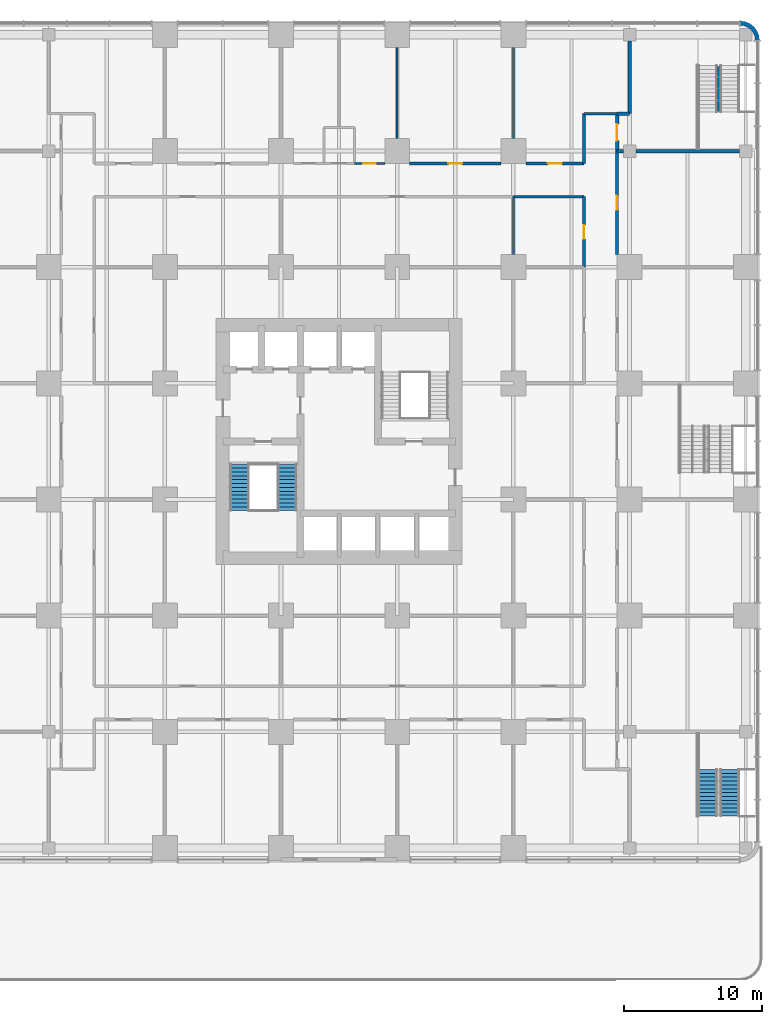
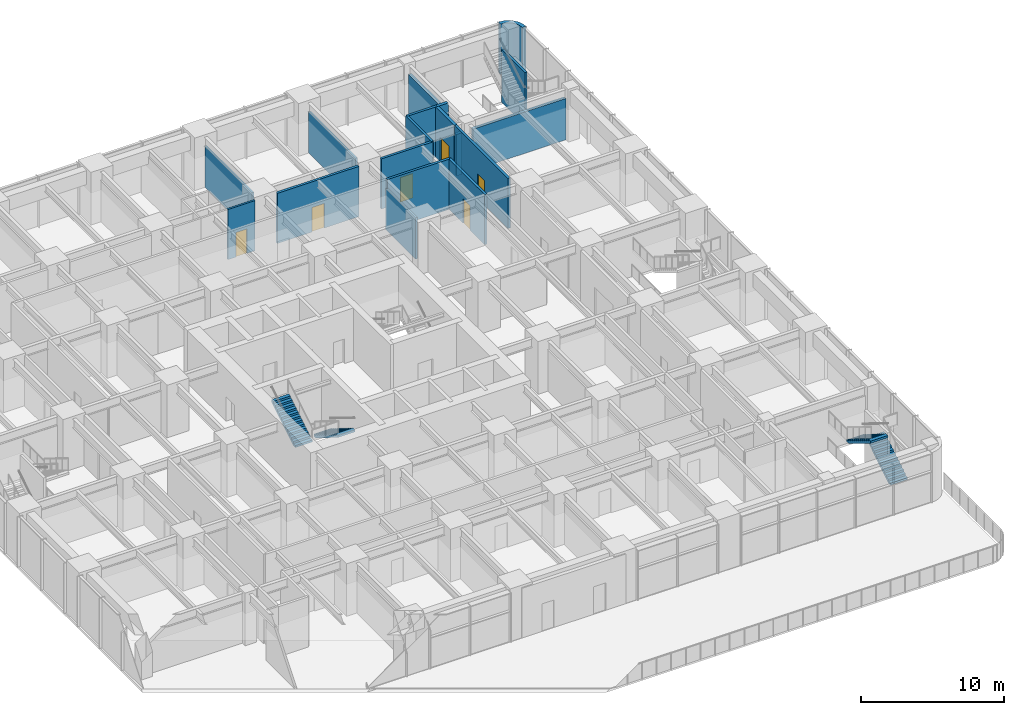
# One storey, part 13 of 19: 18 walls, 6 doors, 4 stair flights, 6 openings, 2 elements without a shape of their own.
"""IFC4 building model written with IfcOpenShell, lengths in metres."""

from ifc_helpers import new_model, si_unit, direction, frame, frame_2d, origin, place, context, subcontext, project, spatial, polyline, rectangle, outline, extrude, material, layer, layer_set, type_object, element, fill, aggregate, save


model = new_model("IFC4")

# Units and contexts
model_context = context("Model", 3, precision=1e-05, world=origin(), true_north=direction((0.0, 1.0)))
body_context = subcontext(model_context, "Body", "Model", "MODEL_VIEW")
ifc_project = project(units=[si_unit("LENGTHUNIT", "METRE"), si_unit("AREAUNIT", "SQUARE_METRE"), si_unit("VOLUMEUNIT", "CUBIC_METRE"), si_unit("PLANEANGLEUNIT", "RADIAN"), si_unit("MASSUNIT", "GRAM", prefix="KILO")], contexts=[model_context])

# Site, building, storey
site_placement = place(None, origin())
site = spatial("IfcSite", under=ifc_project, at=site_placement, CompositionType="ELEMENT")
building_placement = place(site_placement, origin())
building = spatial("IfcBuilding", under=site, at=building_placement, Name="Torre Alcanfor", CompositionType="ELEMENT")
storey_placement = place(building_placement, frame((0.0, 0.0, 15.0)))
storey = spatial("IfcBuildingStorey", under=building, at=storey_placement, Name="L03", CompositionType="ELEMENT", Elevation=15.0)

# Walls
ifc_material_1 = material(Name="Concrete block masonry, hollow blocks NMX-C-404 9 MPa", Category="masonry")
ifc_layer_1 = layer(ifc_material_1, 0.14990234375)
ifc_layer_set_1 = layer_set([ifc_layer_1], Name="Classroom partition 150")
wall_type_1 = type_object("IfcWallType", Name="Classroom partition 150", PredefinedType="PARTITIONING", material=ifc_layer_set_1)
wall_1_placement = place(storey_placement, frame((42.0, 57.89990234375, 0.0), z_axis=(0.0, 0.0, 1.0), x_axis=(0.0, -1.0, 0.0)))
element("IfcWall", 1, at=wall_1_placement, inside=storey, type_object=wall_type_1, Name="Partition L03-17 / L03-21", PredefinedType="PARTITIONING", context=body_context, shape_type="SweptSolid", body=[
    extrude(rectangle(XDim=6.599853515625, YDim=0.14990234375, at=frame_2d((3.2998046875, 0.0))), origin(), (0.0, 0.0, 1.0), 3.543212890625),
])
wall_2_placement = place(storey_placement, frame((42.0, 47.10009765625, 0.0), z_axis=(0.0, 0.0, 1.0), x_axis=(0.0, -1.0, 0.0)))
element("IfcWall", 2, at=wall_2_placement, inside=storey, type_object=wall_type_1, Name="Partition L03-I09 / L03-I10", PredefinedType="PARTITIONING", context=body_context, shape_type="SweptSolid", body=[
    extrude(rectangle(XDim=4.2001953125, YDim=0.14990234375, at=frame_2d((2.10009765625, 0.0))), origin(), (0.0, 0.0, 1.0), 3.543212890625),
])
ifc_material_2 = material(Name="Limestone cladding", Category="masonry")
ifc_layer_2 = layer(ifc_material_2, 0.0400390625, Name="Facing")
ifc_material_3 = material(Name="Ventilated air cavity")
ifc_layer_3 = layer(ifc_material_3, 0.02001953125, ventilated=True, Name="Ventilated joint")
ifc_material_4 = material(Name="Mineral wool insulation", Category="insulation")
ifc_layer_4 = layer(ifc_material_4, 0.10009765625, Name="Insulation")
ifc_material_5 = material(Name="Concrete f'c 35 MPa", Category="concrete")
ifc_layer_5 = layer(ifc_material_5, 0.139892578125, Name="Backing")
ifc_layer_set_2 = layer_set([ifc_layer_2, ifc_layer_3, ifc_layer_4, ifc_layer_5], Name="Rounded corner pier stone-clad 300")
wall_type_2 = type_object("IfcWallType", Name="Rounded corner pier stone-clad 300", PredefinedType="SOLIDWALL", material=ifc_layer_set_2)
wall_3_placement = place(storey_placement, frame((59.647901787, 58.355188981, 0.0), z_axis=(0.0, 0.0, 1.0), x_axis=(0.707106781187, 0.707106781187, 0.0)))
element("IfcWall", 3, at=wall_3_placement, inside=storey, type_object=wall_type_2, Name="Corner pier L03 5", PredefinedType="SOLIDWALL", context=body_context, shape_type="SweptSolid", body=[
    extrude(outline(polyline([(0.13920132652713502, 1.90413906500536), (-0.10075922665872938, 1.7197664960826957), (-0.08677591384717909, 1.7057831832711454), (0.09966825697349269, 1.4627152272382697), (0.20929052407638765, 1.1980680847678162), (0.2464067247490213, 0.9140859912492929), (0.20929052407638762, 0.6301038977307699), (0.09966825697349269, 0.3654567552603164), (-0.08677591384717905, 0.12238879922744068), (-0.10075922665872943, 0.1084054864158903), (0.13920132652713513, -0.07596708250677396), (0.3615532635799362, 0.21405718321427095), (0.5015590251869406, 0.5519009260809882), (0.5492058688411122, 0.914085991249293), (0.5015590251869406, 1.2762710564175979), (0.3615532635799362, 1.614114799284315), (0.13920132652713502, 1.90413906500536)])), origin(), (0.0, 0.0, 1.0), 4.300048828125),
])

# Wall, opening, door
ifc_material_6 = material(Name="Concrete block masonry, hollow blocks NMX-C-404 9 MPa", Category="masonry")
ifc_layer_6 = layer(ifc_material_6, 0.199951171875)
ifc_layer_set_3 = layer_set([ifc_layer_6], Name="School corridor wall 200")
wall_type_3 = type_object("IfcWallType", Name="School corridor wall 200", PredefinedType="PARTITIONING", material=ifc_layer_set_3)
wall_4_placement = place(storey_placement, frame((49.5, 42.89990234375, 0.0), z_axis=(0.0, 0.0, 1.0), x_axis=(0.0, 1.0, 0.0)))
wall_4 = element("IfcWall", 4, at=wall_4_placement, inside=storey, type_object=wall_type_3, Name="Partition L03-15 / L03-CORR", PredefinedType="PARTITIONING", context=body_context, shape_type="SweptSolid", body=[
    extrude(rectangle(XDim=7.5, YDim=0.199951171875, at=frame_2d((3.75, 0.0))), origin(), (0.0, 0.0, 1.0), 4.300048828125),
])
opening_1_placement = place(wall_4_placement, frame((3.25, 0.0, 0.0)))
opening_1 = element("IfcOpeningElement", 5, at=opening_1_placement, cuts=wall_4, Name="Opening D-C1", PredefinedType="OPENING", context=body_context, shape_type="SweptSolid", body=[
    extrude(rectangle(XDim=1.0, YDim=2.10009765625, at=frame_2d((0.5, 1.050048828125))), frame((0.0, 0.10986328125, 0.0), z_axis=(0.0, -1.0, 0.0), x_axis=(1.0, 0.0, 0.0)), (0.0, 0.0, 1.0), 0.219970703125),
])
ifc_material_7 = material(Name="Timber", Category="wood")
door_type_1 = type_object("IfcDoorType", Name="Classroom door 1000x2100", OperationType="SINGLE_SWING_RIGHT", PredefinedType="DOOR", material=ifc_material_7)
door_1_placement = place(opening_1_placement, frame((1.0, 0.0, 0.0), z_axis=(0.0, 0.0, 1.0), x_axis=(-1.0, 0.0, 0.0)))
door_1 = element("IfcDoor", 6, at=door_1_placement, inside=storey, type_object=door_type_1, Name="Door L03-15 classroom", OperationType="SINGLE_SWING_RIGHT", OverallHeight=2.10009765625, OverallWidth=1.0, PredefinedType="DOOR", context=body_context, shape_type="SweptSolid", body=[
    extrude(rectangle(XDim=1.0, YDim=2.10009765625, at=frame_2d((0.5, 1.050048828125))), frame((0.0, 0.025146484375, 0.0), z_axis=(0.0, -1.0, 0.0), x_axis=(1.0, 0.0, 0.0)), (0.0, 0.0, 1.0), 0.050048828125),
])
fill(opening_1, door_1)

wall_5_placement = place(storey_placement, frame((41.10009765625, 49.5, 0.0), z_axis=(0.0, 0.0, 1.0), x_axis=(-1.0, 0.0, 0.0)))
wall_5 = element("IfcWall", 7, at=wall_5_placement, inside=storey, type_object=wall_type_3, Name="Partition L03-17 / L03-CORR", PredefinedType="PARTITIONING", context=body_context, shape_type="SweptSolid", body=[
    extrude(rectangle(XDim=6.60009765625, YDim=0.199951171875, at=frame_2d((3.300048828125, 0.0))), origin(), (0.0, 0.0, 1.0), 4.300048828125),
])
opening_2_placement = place(wall_5_placement, frame((2.800048828125, 0.0, 0.0)))
opening_2 = element("IfcOpeningElement", 8, at=opening_2_placement, cuts=wall_5, Name="Opening D-C1", PredefinedType="OPENING", context=body_context, shape_type="SweptSolid", body=[
    extrude(rectangle(XDim=1.0, YDim=2.10009765625, at=frame_2d((0.5, 1.050048828125))), frame((0.0, 0.10986328125, 0.0), z_axis=(0.0, -1.0, 0.0), x_axis=(1.0, 0.0, 0.0)), (0.0, 0.0, 1.0), 0.219970703125),
])
door_2_placement = place(opening_2_placement, frame((1.0, 0.0, 0.0), z_axis=(0.0, 0.0, 1.0), x_axis=(-1.0, 0.0, 0.0)))
door_2 = element("IfcDoor", 9, at=door_2_placement, inside=storey, type_object=door_type_1, Name="Door L03-17 classroom", OperationType="SINGLE_SWING_RIGHT", OverallHeight=2.10009765625, OverallWidth=1.0, PredefinedType="DOOR", context=body_context, shape_type="SweptSolid", body=[
    extrude(rectangle(XDim=1.0, YDim=2.10009765625, at=frame_2d((0.5, 1.050048828125))), frame((0.0, 0.025146484375, 0.0), z_axis=(0.0, -1.0, 0.0), x_axis=(1.0, 0.0, 0.0)), (0.0, 0.0, 1.0), 0.050048828125),
])
fill(opening_2, door_2)

# Walls
wall_6_placement = place(storey_placement, frame((49.5, 53.10009765625, 0.0), z_axis=(0.0, 0.0, 1.0), x_axis=(-1.0, 0.0, 0.0)))
element("IfcWall", 10, at=wall_6_placement, inside=storey, type_object=wall_type_3, Name="Partition L03-21 / L03-CORR", PredefinedType="PARTITIONING", context=body_context, shape_type="SweptSolid", body=[
    extrude(rectangle(XDim=2.39990234375, YDim=0.199951171875, at=frame_2d((1.199951171875, 0.0))), origin(), (0.0, 0.0, 1.0), 4.300048828125),
])
wall_7_placement = place(storey_placement, frame((47.10009765625, 53.10009765625, 0.0), z_axis=(0.0, 0.0, 1.0), x_axis=(0.0, -1.0, 0.0)))
element("IfcWall", 11, at=wall_7_placement, inside=storey, type_object=wall_type_3, Name="Partition L03-21 / L03-CORR", PredefinedType="PARTITIONING", context=body_context, shape_type="SweptSolid", body=[
    extrude(rectangle(XDim=3.60009765625, YDim=0.199951171875, at=frame_2d((1.800048828125, 0.0))), origin(), (0.0, 0.0, 1.0), 4.300048828125),
])

# Wall, opening, door
wall_8_placement = place(storey_placement, frame((47.10009765625, 49.5, 0.0), z_axis=(0.0, 0.0, 1.0), x_axis=(-1.0, 0.0, 0.0)))
wall_8 = element("IfcWall", 12, at=wall_8_placement, inside=storey, type_object=wall_type_3, Name="Partition L03-21 / L03-CORR", PredefinedType="PARTITIONING", context=body_context, shape_type="SweptSolid", body=[
    extrude(rectangle(XDim=4.2001953125, YDim=0.199951171875, at=frame_2d((2.10009765625, 0.0))), origin(), (0.0, 0.0, 1.0), 4.300048828125),
])
opening_3_placement = place(wall_8_placement, frame((1.60009765625, 0.0, 0.0)))
opening_3 = element("IfcOpeningElement", 13, at=opening_3_placement, cuts=wall_8, Name="Opening D-C1", PredefinedType="OPENING", context=body_context, shape_type="SweptSolid", body=[
    extrude(rectangle(XDim=1.0, YDim=2.10009765625, at=frame_2d((0.5, 1.050048828125))), frame((0.0, 0.10986328125, 0.0), z_axis=(0.0, -1.0, 0.0), x_axis=(1.0, 0.0, 0.0)), (0.0, 0.0, 1.0), 0.219970703125),
])
door_3_placement = place(opening_3_placement, frame((1.0, 0.0, 0.0), z_axis=(0.0, 0.0, 1.0), x_axis=(-1.0, 0.0, 0.0)))
door_3 = element("IfcDoor", 14, at=door_3_placement, inside=storey, type_object=door_type_1, Name="Door L03-21 classroom", OperationType="SINGLE_SWING_RIGHT", OverallHeight=2.10009765625, OverallWidth=1.0, PredefinedType="DOOR", context=body_context, shape_type="SweptSolid", body=[
    extrude(rectangle(XDim=1.0, YDim=2.10009765625, at=frame_2d((0.5, 1.050048828125))), frame((0.0, 0.025146484375, 0.0), z_axis=(0.0, -1.0, 0.0), x_axis=(1.0, 0.0, 0.0)), (0.0, 0.0, 1.0), 0.050048828125),
])
fill(opening_3, door_3)

wall_9_placement = place(storey_placement, frame((47.10009765625, 42.0, 0.0), z_axis=(0.0, 0.0, 1.0), x_axis=(0.0, 1.0, 0.0)))
wall_9 = element("IfcWall", 15, at=wall_9_placement, inside=storey, type_object=wall_type_3, Name="Partition L03-CORR / L03-I10", PredefinedType="PARTITIONING", context=body_context, shape_type="SweptSolid", body=[
    extrude(rectangle(XDim=5.10009765625, YDim=0.199951171875, at=frame_2d((2.550048828125, 0.0))), origin(), (0.0, 0.0, 1.0), 4.300048828125),
])
opening_4_placement = place(wall_9_placement, frame((2.050048828125, 0.0, 0.0)))
opening_4 = element("IfcOpeningElement", 16, at=opening_4_placement, cuts=wall_9, Name="Opening D-C1", PredefinedType="OPENING", context=body_context, shape_type="SweptSolid", body=[
    extrude(rectangle(XDim=1.0, YDim=2.10009765625, at=frame_2d((0.5, 1.050048828125))), frame((0.0, 0.10986328125, 0.0), z_axis=(0.0, -1.0, 0.0), x_axis=(1.0, 0.0, 0.0)), (0.0, 0.0, 1.0), 0.219970703125),
])
door_4_placement = place(opening_4_placement, origin())
door_4 = element("IfcDoor", 17, at=door_4_placement, inside=storey, type_object=door_type_1, Name="Door L03-I10 store", OperationType="SINGLE_SWING_LEFT", OverallHeight=2.10009765625, OverallWidth=1.0, PredefinedType="DOOR", context=body_context, shape_type="SweptSolid", body=[
    extrude(rectangle(XDim=1.0, YDim=2.10009765625, at=frame_2d((0.5, 1.050048828125))), frame((0.0, 0.02490234375, 0.0), z_axis=(0.0, -1.0, 0.0), x_axis=(1.0, 0.0, 0.0)), (0.0, 0.0, 1.0), 0.050048828125),
])
fill(opening_4, door_4)

# Walls
wall_10_placement = place(storey_placement, frame((47.10009765625, 47.10009765625, 0.0), z_axis=(0.0, 0.0, 1.0), x_axis=(-1.0, 0.0, 0.0)))
element("IfcWall", 18, at=wall_10_placement, inside=storey, type_object=wall_type_3, Name="Partition L03-CORR / L03-I10", PredefinedType="PARTITIONING", context=body_context, shape_type="SweptSolid", body=[
    extrude(rectangle(XDim=5.10009765625, YDim=0.199951171875, at=frame_2d((2.550048828125, 0.0))), origin(), (0.0, 0.0, 1.0), 4.300048828125),
])
ifc_material_8 = material(Name="Reinforced concrete block masonry, hollow blocks NMX-C-404 9 MPa", Category="masonry")
ifc_layer_7 = layer(ifc_material_8, 0.25)
ifc_layer_set_4 = layer_set([ifc_layer_7], Name="Stair enclosure wall 250 EI 120")
wall_type_4 = type_object("IfcWallType", Name="Stair enclosure wall 250 EI 120", PredefinedType="SOLIDWALL", material=ifc_layer_set_4)
wall_11_placement = place(storey_placement, frame((49.949951171875, 50.39990234375, 0.0), z_axis=(0.0, 0.0, 1.0), x_axis=(-1.0, 0.0, 0.0)))
element("IfcWall", 19, at=wall_11_placement, inside=storey, type_object=wall_type_4, Name="Partition L03-SS4 / L03-15", PredefinedType="SOLIDWALL", context=body_context, shape_type="SweptSolid", body=[
    extrude(rectangle(XDim=0.449951171875, YDim=0.25, at=frame_2d((0.22509765625, 0.0))), origin(), (0.0, 0.0, 1.0), 3.543212890625),
])
wall_12_placement = place(storey_placement, frame((58.35009765625, 50.39990234375, 0.0), z_axis=(0.0, 0.0, 1.0), x_axis=(-1.0, 0.0, 0.0)))
element("IfcWall", 20, at=wall_12_placement, inside=storey, type_object=wall_type_4, Name="Partition L03-SS4 / L03-15", PredefinedType="SOLIDWALL", context=body_context, shape_type="SweptSolid", body=[
    extrude(rectangle(XDim=7.5, YDim=0.25, at=frame_2d((3.75, 0.0))), origin(), (0.0, 0.0, 1.0), 3.543212890625),
])
wall_13_placement = place(storey_placement, frame((49.5, 53.10009765625, 0.0), z_axis=(0.0, 0.0, 1.0), x_axis=(1.0, 0.0, 0.0)))
element("IfcWall", 21, at=wall_13_placement, inside=storey, type_object=wall_type_4, Name="Partition L03-SS4 / L03-21", PredefinedType="SOLIDWALL", context=body_context, shape_type="SweptSolid", body=[
    extrude(rectangle(XDim=0.89990234375, YDim=0.25, at=frame_2d((0.449951171875, 0.0))), origin(), (0.0, 0.0, 1.0), 4.300048828125),
])
wall_14_placement = place(storey_placement, frame((50.39990234375, 53.10009765625, 0.0), z_axis=(0.0, 0.0, 1.0), x_axis=(0.0, 1.0, 0.0)))
element("IfcWall", 22, at=wall_14_placement, inside=storey, type_object=wall_type_4, Name="Partition L03-SS4 / L03-21", PredefinedType="SOLIDWALL", context=body_context, shape_type="SweptSolid", body=[
    extrude(rectangle(XDim=5.25, YDim=0.25, at=frame_2d((2.625, 0.0))), origin(), (0.0, 0.0, 1.0), 3.543212890625),
])

# Wall, opening, door
wall_15_placement = place(storey_placement, frame((49.5, 50.39990234375, 0.0), z_axis=(0.0, 0.0, 1.0), x_axis=(0.0, 1.0, 0.0)))
wall_15 = element("IfcWall", 23, at=wall_15_placement, inside=storey, type_object=wall_type_4, Name="Partition L03-SS4 / L03-CORR", PredefinedType="SOLIDWALL", context=body_context, shape_type="SweptSolid", body=[
    extrude(rectangle(XDim=2.7001953125, YDim=0.25, at=frame_2d((1.35009765625, 0.0))), origin(), (0.0, 0.0, 1.0), 4.300048828125),
])
opening_5_placement = place(wall_15_placement, frame((0.75, 0.0, 0.0)))
opening_5 = element("IfcOpeningElement", 24, at=opening_5_placement, cuts=wall_15, Name="Opening D-L1", PredefinedType="OPENING", context=body_context, shape_type="SweptSolid", body=[
    extrude(rectangle(XDim=1.199951171875, YDim=2.10009765625, at=frame_2d((0.60009765625, 1.050048828125))), frame((0.0, 0.135009765625, 0.0), z_axis=(0.0, -1.0, 0.0), x_axis=(1.0, 0.0, 0.0)), (0.0, 0.0, 1.0), 0.27001953125),
])
ifc_material_9 = material(Name="Galvanised steel sheet ASTM A653", Category="steel")
door_type_2 = type_object("IfcDoorType", Name="Lobby door FD120 1200x2100", OperationType="SINGLE_SWING_LEFT", PredefinedType="DOOR", material=ifc_material_9)
door_5_placement = place(opening_5_placement, frame((1.199951171875, 0.0, 0.0), z_axis=(0.0, 0.0, 1.0), x_axis=(-1.0, 0.0, 0.0)))
door_5 = element("IfcDoor", 25, at=door_5_placement, inside=storey, type_object=door_type_2, Name="Door L03-SS4 school stair ss4", OperationType="SINGLE_SWING_RIGHT", OverallHeight=2.10009765625, OverallWidth=1.199951171875, PredefinedType="DOOR", context=body_context, shape_type="SweptSolid", body=[
    extrude(rectangle(XDim=1.199951171875, YDim=2.10009765625, at=frame_2d((0.599853515625, 1.050048828125))), frame((0.0, 0.025146484375, 0.0), z_axis=(0.0, -1.0, 0.0), x_axis=(1.0, 0.0, 0.0)), (0.0, 0.0, 1.0), 0.050048828125),
])
fill(opening_5, door_5)

# Walls
ifc_material_10 = material(Name="Concrete f'c 35 MPa", Category="concrete")
ifc_layer_8 = layer(ifc_material_10, 0.199951171875)
ifc_layer_set_5 = layer_set([ifc_layer_8], Name="Stair spine wall 200")
wall_type_5 = type_object("IfcWallType", Name="Stair spine wall 200", PredefinedType="SOLIDWALL", material=ifc_layer_set_5)
wall_16_placement = place(storey_placement, frame((56.85009765625, 56.52490234375, 0.0), z_axis=(0.0, 0.0, 1.0), x_axis=(0.0, -1.0, 0.0)))
element("IfcWall", 26, at=wall_16_placement, inside=storey, type_object=wall_type_5, Name="Stair spine wall SS4 L03", PredefinedType="SOLIDWALL", context=body_context, shape_type="SweptSolid", body=[
    extrude(rectangle(XDim=3.260009765625, YDim=0.199951171875, at=frame_2d((1.6298828125, 0.0))), origin(), (0.0, 0.0, 1.0), 4.5),
])
ifc_material_11 = material(Name="Cement board on steel studs", Category="steel")
ifc_layer_9 = layer(ifc_material_11, 0.14990234375)
ifc_layer_set_6 = layer_set([ifc_layer_9], Name="Wet area partition 150")
wall_type_6 = type_object("IfcWallType", Name="Wet area partition 150", PredefinedType="PARTITIONING", material=ifc_layer_set_6)
wall_17_placement = place(storey_placement, frame((33.60009765625, 57.89990234375, 0.0), z_axis=(0.0, 0.0, 1.0), x_axis=(0.0, -1.0, 0.0)))
element("IfcWall", 27, at=wall_17_placement, inside=storey, type_object=wall_type_6, Name="Partition L03-WCN3 / L03-17", PredefinedType="PARTITIONING", context=body_context, shape_type="SweptSolid", body=[
    extrude(rectangle(XDim=6.599853515625, YDim=0.14990234375, at=frame_2d((3.2998046875, 0.0))), origin(), (0.0, 0.0, 1.0), 3.543212890625),
])

# Wall, opening, door
wall_18_placement = place(storey_placement, frame((32.699951171875, 49.5, 0.0), z_axis=(0.0, 0.0, 1.0), x_axis=(-1.0, 0.0, 0.0)))
wall_18 = element("IfcWall", 28, at=wall_18_placement, inside=storey, type_object=wall_type_6, Name="Partition L03-WCN3 / L03-CORR", PredefinedType="PARTITIONING", context=body_context, shape_type="SweptSolid", body=[
    extrude(rectangle(XDim=2.199951171875, YDim=0.14990234375, at=frame_2d((1.10009765625, 0.0))), origin(), (0.0, 0.0, 1.0), 4.300048828125),
])
opening_6_placement = place(wall_18_placement, frame((0.64990234375, 0.0, 0.0)))
opening_6 = element("IfcOpeningElement", 29, at=opening_6_placement, cuts=wall_18, Name="Opening D-W1", PredefinedType="OPENING", context=body_context, shape_type="SweptSolid", body=[
    extrude(rectangle(XDim=0.89990234375, YDim=2.10009765625, at=frame_2d((0.449951171875, 1.050048828125))), frame((0.0, 0.0849609375, 0.0), z_axis=(0.0, -1.0, 0.0), x_axis=(1.0, 0.0, 0.0)), (0.0, 0.0, 1.0), 0.169921875),
])
ifc_material_12 = material(Name="Timber", Category="wood")
door_type_3 = type_object("IfcDoorType", Name="Toilet door 900x2100", OperationType="SINGLE_SWING_LEFT", PredefinedType="DOOR", material=ifc_material_12)
door_6_placement = place(opening_6_placement, frame((0.89990234375, 0.0, 0.0), z_axis=(0.0, 0.0, 1.0), x_axis=(-1.0, 0.0, 0.0)))
door_6 = element("IfcDoor", 30, at=door_6_placement, inside=storey, type_object=door_type_3, Name="Door L03-WCN3 girls toilets", OperationType="SINGLE_SWING_RIGHT", OverallHeight=2.10009765625, OverallWidth=0.89990234375, PredefinedType="DOOR", context=body_context, shape_type="SweptSolid", body=[
    extrude(rectangle(XDim=0.89990234375, YDim=2.10009765625, at=frame_2d((0.449951171875, 1.050048828125))), frame((0.0, 0.025146484375, 0.0), z_axis=(0.0, -1.0, 0.0), x_axis=(1.0, 0.0, 0.0)), (0.0, 0.0, 1.0), 0.050048828125),
])
fill(opening_6, door_6)

# Stair, stair flights
ifc_material_13 = material(Name="Concrete f'c 35 MPa", Category="concrete")
stair_type_1 = type_object("IfcStairType", Name="Exit stair S1 1400 wide", PredefinedType="HALF_TURN_STAIR", material=ifc_material_13)
stair_1_placement = place(storey_placement, origin())
stair_1 = element("IfcStair", 31, at=stair_1_placement, inside=storey, type_object=stair_type_1, Name="Stair S1 L03 to L04", PredefinedType="HALF_TURN_STAIR")
ifc_material_14 = material(Name="Concrete f'c 35 MPa", Category="concrete")
stair_flight_type = type_object("IfcStairFlightType", Name="Stair flight 1400", PredefinedType="STRAIGHT", material=ifc_material_14)
stair_flight_1_placement = place(storey_placement, frame((25.64990234375, 27.75, 0.0), z_axis=(0.0, 0.0, 1.0), x_axis=(0.0, -1.0, 0.0)))
stair_flight_1 = element("IfcStairFlight", 32, at=stair_flight_1_placement, type_object=stair_flight_type, Name="S1 flight 1", NumberOfRisers=13, NumberOfTreads=12, PredefinedType="STRAIGHT", RiserHeight=0.173076923, TreadLength=0.28, context=body_context, shape_type="SweptSolid", body=[
    extrude(outline(polyline([(0.0, 0.0), (0.0, 0.173095703125), (0.280029296875, 0.173095703125), (0.280029296875, 0.34619140625), (0.56005859375, 0.34619140625), (0.56005859375, 0.519287109375), (0.840087890625, 0.519287109375), (0.840087890625, 0.6923828125), (1.1201171875, 0.6923828125), (1.1201171875, 0.865478515625), (1.39990234375, 0.865478515625), (1.39990234375, 1.03857421875), (1.679931640625, 1.03857421875), (1.679931640625, 1.21142578125), (1.9599609375, 1.21142578125), (1.9599609375, 1.384521484375), (2.239990234375, 1.384521484375), (2.239990234375, 1.5576171875), (2.52001953125, 1.5576171875), (2.52001953125, 1.730712890625), (2.800048828125, 1.730712890625), (2.800048828125, 1.90380859375), (3.080078125, 1.90380859375), (3.080078125, 2.076904296875), (3.360107421875, 2.076904296875), (3.360107421875, 2.25), (3.360107421875, 1.900634765625), (0.28515625, 0.0), (0.0, 0.0)])), frame((0.0, 0.699951171875, 0.0), z_axis=(0.0, -1.0, 0.0), x_axis=(1.0, 0.0, 0.0)), (0.0, 0.0, 1.0), 1.39990234375),
])
stair_flight_2_placement = place(storey_placement, frame((22.199951171875, 24.389892578125, 2.25), z_axis=(0.0, 0.0, 1.0), x_axis=(0.0, 1.0, 0.0)))
stair_flight_2 = element("IfcStairFlight", 33, at=stair_flight_2_placement, type_object=stair_flight_type, Name="S1 flight 2", NumberOfRisers=13, NumberOfTreads=12, PredefinedType="STRAIGHT", RiserHeight=0.173076923, TreadLength=0.28, context=body_context, shape_type="SweptSolid", body=[
    extrude(outline(polyline([(0.0, 0.0), (0.0, 0.173095703125), (0.280029296875, 0.173095703125), (0.280029296875, 0.34619140625), (0.56005859375, 0.34619140625), (0.56005859375, 0.519287109375), (0.840087890625, 0.519287109375), (0.840087890625, 0.6923828125), (1.1201171875, 0.6923828125), (1.1201171875, 0.865478515625), (1.39990234375, 0.865478515625), (1.39990234375, 1.03857421875), (1.679931640625, 1.03857421875), (1.679931640625, 1.21142578125), (1.9599609375, 1.21142578125), (1.9599609375, 1.384521484375), (2.239990234375, 1.384521484375), (2.239990234375, 1.5576171875), (2.52001953125, 1.5576171875), (2.52001953125, 1.730712890625), (2.800048828125, 1.730712890625), (2.800048828125, 1.90380859375), (3.080078125, 1.90380859375), (3.080078125, 2.076904296875), (3.360107421875, 2.076904296875), (3.360107421875, 2.25), (3.360107421875, 1.900634765625), (0.28515625, 0.0), (0.0, 0.0)])), frame((0.0, 0.699951171875, 0.0), z_axis=(0.0, -1.0, 0.0), x_axis=(1.0, 0.0, 0.0)), (0.0, 0.0, 1.0), 1.39990234375),
])
aggregate(stair_1, [stair_flight_1, stair_flight_2])

ifc_material_15 = material(Name="Concrete f'c 35 MPa", Category="concrete")
stair_type_2 = type_object("IfcStairType", Name="Exit stair SS3 1400 wide", PredefinedType="HALF_TURN_STAIR", material=ifc_material_15)
stair_2_placement = place(storey_placement, origin())
stair_2 = element("IfcStair", 34, at=stair_2_placement, inside=storey, type_object=stair_type_2, Name="Stair SS3 L03 to L04", PredefinedType="HALF_TURN_STAIR")
stair_flight_3_placement = place(storey_placement, frame((57.64990234375, 2.324951171875, 0.0), z_axis=(0.0, 0.0, 1.0), x_axis=(0.0, 1.0, 0.0)))
stair_flight_3 = element("IfcStairFlight", 35, at=stair_flight_3_placement, type_object=stair_flight_type, Name="SS3 flight 1", NumberOfRisers=13, NumberOfTreads=12, PredefinedType="STRAIGHT", RiserHeight=0.173076923, TreadLength=0.28, context=body_context, shape_type="SweptSolid", body=[
    extrude(outline(polyline([(0.0, 0.0), (0.0, 0.173095703125), (0.280029296875, 0.173095703125), (0.280029296875, 0.34619140625), (0.56005859375, 0.34619140625), (0.56005859375, 0.519287109375), (0.840087890625, 0.519287109375), (0.840087890625, 0.6923828125), (1.1201171875, 0.6923828125), (1.1201171875, 0.865478515625), (1.39990234375, 0.865478515625), (1.39990234375, 1.03857421875), (1.679931640625, 1.03857421875), (1.679931640625, 1.21142578125), (1.9599609375, 1.21142578125), (1.9599609375, 1.384521484375), (2.239990234375, 1.384521484375), (2.239990234375, 1.5576171875), (2.52001953125, 1.5576171875), (2.52001953125, 1.730712890625), (2.800048828125, 1.730712890625), (2.800048828125, 1.90380859375), (3.080078125, 1.90380859375), (3.080078125, 2.076904296875), (3.360107421875, 2.076904296875), (3.360107421875, 2.25), (3.360107421875, 1.900634765625), (0.28515625, 0.0), (0.0, 0.0)])), frame((0.0, 0.699951171875, 0.0), z_axis=(0.0, -1.0, 0.0), x_axis=(1.0, 0.0, 0.0)), (0.0, 0.0, 1.0), 1.39990234375),
])
stair_flight_4_placement = place(storey_placement, frame((56.050048828125, 5.68505859375, 2.25), z_axis=(0.0, 0.0, 1.0), x_axis=(0.0, -1.0, 0.0)))
stair_flight_4 = element("IfcStairFlight", 36, at=stair_flight_4_placement, type_object=stair_flight_type, Name="SS3 flight 2", NumberOfRisers=13, NumberOfTreads=12, PredefinedType="STRAIGHT", RiserHeight=0.173076923, TreadLength=0.28, context=body_context, shape_type="SweptSolid", body=[
    extrude(outline(polyline([(0.0, 0.0), (0.0, 0.173095703125), (0.280029296875, 0.173095703125), (0.280029296875, 0.34619140625), (0.56005859375, 0.34619140625), (0.56005859375, 0.519287109375), (0.840087890625, 0.519287109375), (0.840087890625, 0.6923828125), (1.1201171875, 0.6923828125), (1.1201171875, 0.865478515625), (1.39990234375, 0.865478515625), (1.39990234375, 1.03857421875), (1.679931640625, 1.03857421875), (1.679931640625, 1.21142578125), (1.9599609375, 1.21142578125), (1.9599609375, 1.384521484375), (2.239990234375, 1.384521484375), (2.239990234375, 1.5576171875), (2.52001953125, 1.5576171875), (2.52001953125, 1.730712890625), (2.800048828125, 1.730712890625), (2.800048828125, 1.90380859375), (3.080078125, 1.90380859375), (3.080078125, 2.076904296875), (3.360107421875, 2.076904296875), (3.360107421875, 2.25), (3.360107421875, 1.900634765625), (0.28515625, 0.0), (0.0, 0.0)])), frame((0.0, 0.699951171875, 0.0), z_axis=(0.0, -1.0, 0.0), x_axis=(1.0, 0.0, 0.0)), (0.0, 0.0, 1.0), 1.39990234375),
])
aggregate(stair_2, [stair_flight_3, stair_flight_4])

save(model, "model.ifc")
